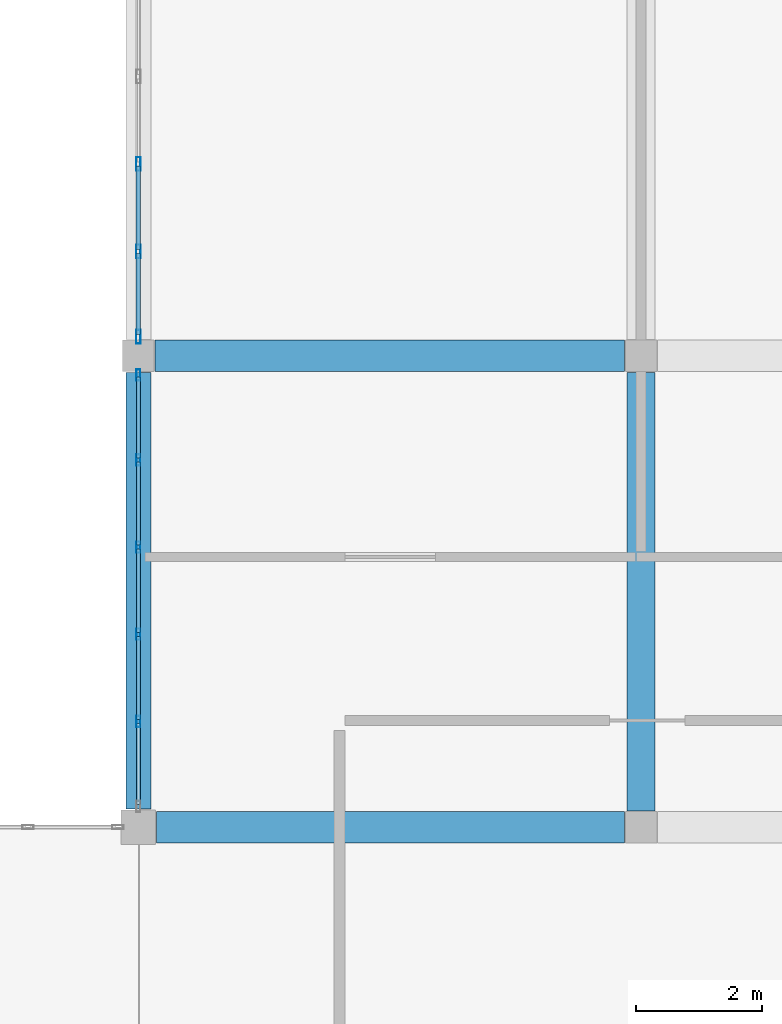
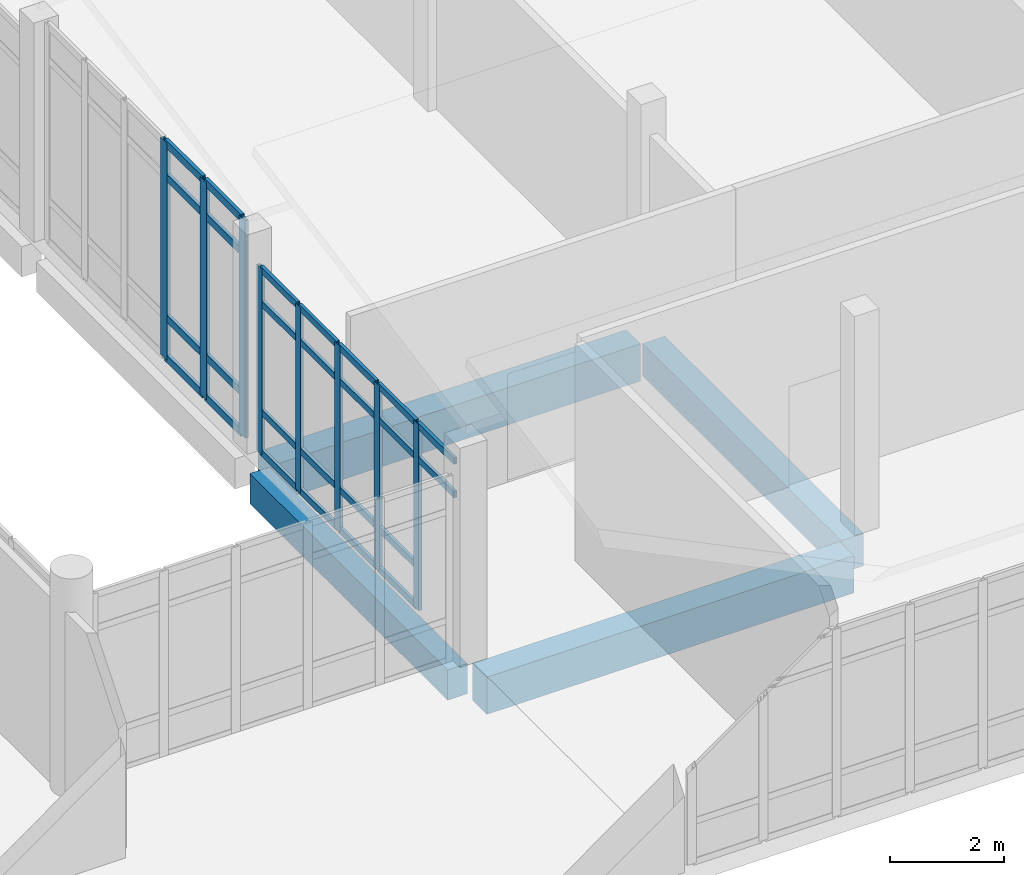
# One storey, part 55 of 173: 34 members, 4 beams, 2 elements without a shape of their own.
"""IFC4 building model written with IfcOpenShell, lengths in metres."""

from ifc_helpers import new_model, si_unit, direction, frame, origin, origin_2d, place, context, subcontext, project, spatial, rectangle, hollow_rectangle, extrude, material, layer, layer_set, material_profile, profile_set, type_object, element, aggregate, save


model = new_model("IFC4")

# Units and contexts
model_context = context("Model", 3, precision=1e-05, world=origin(), true_north=direction((0.0, 1.0)))
body_context = subcontext(model_context, "Body", "Model", "MODEL_VIEW")
ifc_project = project(units=[si_unit("LENGTHUNIT", "METRE"), si_unit("AREAUNIT", "SQUARE_METRE"), si_unit("VOLUMEUNIT", "CUBIC_METRE"), si_unit("PLANEANGLEUNIT", "RADIAN"), si_unit("MASSUNIT", "GRAM", prefix="KILO")], contexts=[model_context])

# Site, building, storey
site_placement = place(None, origin())
site = spatial("IfcSite", under=ifc_project, at=site_placement, CompositionType="ELEMENT")
building_placement = place(site_placement, origin())
building = spatial("IfcBuilding", under=site, at=building_placement, Name="Mawjan Specialist Oncology Clinic", CompositionType="ELEMENT")
storey_placement = place(building_placement, origin())
storey = spatial("IfcBuildingStorey", under=building, at=storey_placement, Name="L00", CompositionType="ELEMENT", Elevation=0.0)

# Beams
ifc_material_1 = material(Name="Concrete C40/50", Category="concrete")
ifc_material_profile_1 = material_profile(ifc_material_1, rectangle(XDim=0.449951171875, YDim=0.699951171875, at=origin_2d()), Name="RC BM 450x700", Category="concrete")
ifc_profile_set_1 = profile_set([ifc_material_profile_1], Name="Concrete C40/50")
beam_type_1 = type_object("IfcBeamType", Name="BM-450x700", PredefinedType="BEAM", material=ifc_profile_set_1)
beam_1_placement = place(storey_placement, frame((124.0, 53.56005859375, -0.77001953125), z_axis=(0.0, 1.0, 0.0), x_axis=(-1.0, 0.0, 0.0)))
element("IfcBeam", 1, at=beam_1_placement, inside=storey, type_object=beam_type_1, Name="L00 Collector Beam BM-L00-0189", PredefinedType="BEAM", context=body_context, shape_type="SweptSolid", body=[
    extrude(rectangle(XDim=0.449951171875, YDim=0.699951171875, at=origin_2d()), origin(), (0.0, 0.0, 1.0), 6.97998046875),
])
ifc_material_2 = material(Name="Concrete C45/55", Category="concrete")
ifc_material_profile_2 = material_profile(ifc_material_2, rectangle(XDim=0.5, YDim=0.800048828125, at=origin_2d()), Name="RC BM 500x800", Category="concrete")
ifc_profile_set_2 = profile_set([ifc_material_profile_2], Name="Concrete C45/55")
beam_type_2 = type_object("IfcBeamType", Name="BM-500x800", PredefinedType="BEAM", material=ifc_profile_set_2)
beam_2_placement = place(storey_placement, frame((116.284912109375, 53.300048828125, -0.820068359375), z_axis=(1.0, 0.0, 0.0), x_axis=(0.0, 1.0, 0.0)))
element("IfcBeam", 2, at=beam_2_placement, inside=storey, type_object=beam_type_2, Name="L00 Collector Beam BM-L00-0001", PredefinedType="BEAM", context=body_context, shape_type="SweptSolid", body=[
    extrude(rectangle(XDim=0.5, YDim=0.800048828125, at=origin_2d()), origin(), (0.0, 0.0, 1.0), 7.455078125),
])
beam_3_placement = place(storey_placement, frame((116.260009765625, 60.800048828125, -0.820068359375), z_axis=(1.0, 0.0, 0.0), x_axis=(0.0, 1.0, 0.0)))
element("IfcBeam", 3, at=beam_3_placement, inside=storey, type_object=beam_type_2, Name="L00 Collector Beam BM-L00-0003", PredefinedType="BEAM", context=body_context, shape_type="SweptSolid", body=[
    extrude(rectangle(XDim=0.5, YDim=0.800048828125, at=origin_2d()), origin(), (0.0, 0.0, 1.0), 7.47998046875),
])

# Curtain wall, members
ifc_material_3 = material(Name="Unitised spectrally selective aluminium curtain wall", Category="aluminium")
ifc_layer_1 = layer(ifc_material_3, 0.179931640625, Name="Unitised spectrally selective aluminium curtain wall", Category="aluminium")
ifc_layer_set_1 = layer_set([ifc_layer_1], Name="Unitised spectrally selective aluminium curtain wall")
curtain_wall_type_1 = type_object("IfcCurtainWallType", Name="CW-30", PredefinedType="NOTDEFINED", material=ifc_layer_set_1)
curtain_wall_1_placement = place(storey_placement, origin())
curtain_wall_1 = element("IfcCurtainWall", 4, at=curtain_wall_1_placement, inside=storey, type_object=curtain_wall_type_1, Name="L00 Unitised Curtain Wall CW-L00-064", PredefinedType="NOTDEFINED")
ifc_material_4 = material(Name="Thermally broken aluminium 6063-T6", Category="aluminium")
ifc_material_profile_3 = material_profile(ifc_material_4, hollow_rectangle(XDim=0.06494140625, YDim=0.179931640625, WallThickness=0.00390625, at=origin_2d()), Name="ALU MULLION 180x65x4", Category="aluminium")
ifc_profile_set_3 = profile_set([ifc_material_profile_3], Name="Thermally broken aluminium 6063-T6")
member_type_1 = type_object("IfcMemberType", Name="CW-M180", PredefinedType="MULLION", material=ifc_profile_set_3)
member_1_placement = place(storey_placement, frame((116.0, 54.98193359375, 0.0), z_axis=(0.0, 0.0, 1.0), x_axis=(-1.0, 0.0, 0.0)))
member_1 = element("IfcMember", 5, at=member_1_placement, type_object=member_type_1, Name="CW-30 mullion 2", PredefinedType="MULLION", context=body_context, shape_type="SweptSolid", body=[
    extrude(hollow_rectangle(XDim=0.06494140625, YDim=0.179931640625, WallThickness=0.00390625, at=origin_2d()), origin(), (0.0, 0.0, 1.0), 3.985107421875),
])
member_2_placement = place(storey_placement, frame((116.0, 56.368896484375, 0.0), z_axis=(0.0, 0.0, 1.0), x_axis=(-1.0, 0.0, 0.0)))
member_2 = element("IfcMember", 6, at=member_2_placement, type_object=member_type_1, Name="CW-30 mullion 3", PredefinedType="MULLION", context=body_context, shape_type="SweptSolid", body=[
    extrude(hollow_rectangle(XDim=0.06494140625, YDim=0.179931640625, WallThickness=0.00390625, at=origin_2d()), origin(), (0.0, 0.0, 1.0), 3.985107421875),
])
member_3_placement = place(storey_placement, frame((116.0, 57.756103515625, 0.0), z_axis=(0.0, 0.0, 1.0), x_axis=(-1.0, 0.0, 0.0)))
member_3 = element("IfcMember", 7, at=member_3_placement, type_object=member_type_1, Name="CW-30 mullion 4", PredefinedType="MULLION", context=body_context, shape_type="SweptSolid", body=[
    extrude(hollow_rectangle(XDim=0.06494140625, YDim=0.179931640625, WallThickness=0.00390625, at=origin_2d()), origin(), (0.0, 0.0, 1.0), 3.985107421875),
])
member_4_placement = place(storey_placement, frame((116.0, 59.14306640625, 0.0), z_axis=(0.0, 0.0, 1.0), x_axis=(-1.0, 0.0, 0.0)))
member_4 = element("IfcMember", 8, at=member_4_placement, type_object=member_type_1, Name="CW-30 mullion 5", PredefinedType="MULLION", context=body_context, shape_type="SweptSolid", body=[
    extrude(hollow_rectangle(XDim=0.06494140625, YDim=0.179931640625, WallThickness=0.00390625, at=origin_2d()), origin(), (0.0, 0.0, 1.0), 3.985107421875),
])
member_5_placement = place(storey_placement, frame((116.0, 60.49755859375, 0.0), z_axis=(0.0, 0.0, 1.0), x_axis=(-1.0, 0.0, 0.0)))
member_5 = element("IfcMember", 9, at=member_5_placement, type_object=member_type_1, Name="CW-30 mullion 6", PredefinedType="MULLION", context=body_context, shape_type="SweptSolid", body=[
    extrude(hollow_rectangle(XDim=0.06494140625, YDim=0.179931640625, WallThickness=0.00390625, at=origin_2d()), origin(), (0.0, 0.0, 1.0), 3.985107421875),
])

ifc_material_5 = material(Name="Unitised spectrally selective aluminium curtain wall", Category="aluminium")
ifc_layer_2 = layer(ifc_material_5, 0.179931640625, Name="Unitised spectrally selective aluminium curtain wall", Category="aluminium")
ifc_layer_set_2 = layer_set([ifc_layer_2], Name="Unitised spectrally selective aluminium curtain wall")
curtain_wall_type_2 = type_object("IfcCurtainWallType", Name="CW-11", PredefinedType="NOTDEFINED", material=ifc_layer_set_2)
curtain_wall_2_placement = place(storey_placement, origin())
curtain_wall_2 = element("IfcCurtainWall", 10, at=curtain_wall_2_placement, inside=storey, type_object=curtain_wall_type_2, Name="L00 Unitised Curtain Wall CW-L00-065", PredefinedType="NOTDEFINED")
ifc_material_6 = material(Name="Thermally broken aluminium 6063-T6", Category="aluminium")
ifc_material_profile_4 = material_profile(ifc_material_6, hollow_rectangle(XDim=0.070068359375, YDim=0.219970703125, WallThickness=0.00390625, at=origin_2d()), Name="ALU MULLION 220x70x4", Category="aluminium")
ifc_profile_set_4 = profile_set([ifc_material_profile_4], Name="Thermally broken aluminium 6063-T6")
member_type_2 = type_object("IfcMemberType", Name="CW-M220", PredefinedType="MULLION", material=ifc_profile_set_4)
member_6_placement = place(storey_placement, frame((116.0, 61.10498046875, 0.0), z_axis=(0.0, 0.0, 1.0), x_axis=(-1.0, 0.0, 0.0)))
member_6 = element("IfcMember", 11, at=member_6_placement, type_object=member_type_2, Name="CW-11 mullion 1", PredefinedType="MULLION", context=body_context, shape_type="SweptSolid", body=[
    extrude(hollow_rectangle(XDim=0.070068359375, YDim=0.219970703125, WallThickness=0.00390625, at=origin_2d()), origin(), (0.0, 0.0, 1.0), 4.669921875),
])
member_7_placement = place(storey_placement, frame((116.0, 62.4619140625, 0.0), z_axis=(0.0, 0.0, 1.0), x_axis=(-1.0, 0.0, 0.0)))
member_7 = element("IfcMember", 12, at=member_7_placement, type_object=member_type_2, Name="CW-11 mullion 2", PredefinedType="MULLION", context=body_context, shape_type="SweptSolid", body=[
    extrude(hollow_rectangle(XDim=0.070068359375, YDim=0.219970703125, WallThickness=0.00390625, at=origin_2d()), origin(), (0.0, 0.0, 1.0), 4.669921875),
])
member_8_placement = place(storey_placement, frame((116.0, 63.85400390625, 0.0), z_axis=(0.0, 0.0, 1.0), x_axis=(-1.0, 0.0, 0.0)))
member_8 = element("IfcMember", 13, at=member_8_placement, type_object=member_type_2, Name="CW-11 mullion 3", PredefinedType="MULLION", context=body_context, shape_type="SweptSolid", body=[
    extrude(hollow_rectangle(XDim=0.070068359375, YDim=0.219970703125, WallThickness=0.00390625, at=origin_2d()), origin(), (0.0, 0.0, 1.0), 4.669921875),
])

# Member
ifc_material_7 = material(Name="Thermally broken aluminium 6063-T6", Category="aluminium")
ifc_material_profile_5 = material_profile(ifc_material_7, hollow_rectangle(XDim=0.06494140625, YDim=0.139892578125, WallThickness=0.00390625, at=origin_2d()), Name="ALU TRANSOM 140x65x4", Category="aluminium")
ifc_profile_set_5 = profile_set([ifc_material_profile_5], Name="Thermally broken aluminium 6063-T6")
member_type_3 = type_object("IfcMemberType", Name="CW-T140", PredefinedType="USERDEFINED", material=ifc_profile_set_5)
member_9_placement = place(storey_placement, frame((116.0, 53.659912109375, 3.235107421875), z_axis=(0.0, 1.0, 0.0), x_axis=(-1.0, 0.0, 0.0)))
member_9 = element("IfcMember", 14, at=member_9_placement, type_object=member_type_3, Name="CW-30 transom 1.3", ObjectType="TRANSOM", PredefinedType="USERDEFINED", context=body_context, shape_type="SweptSolid", body=[
    extrude(hollow_rectangle(XDim=0.06494140625, YDim=0.139892578125, WallThickness=0.00390625, at=origin_2d()), origin(), (0.0, 0.0, 1.0), 1.28955078125),
])

member_10_placement = place(storey_placement, frame((116.0, 53.659912109375, 3.952392578125), z_axis=(0.0, 1.0, 0.0), x_axis=(-1.0, 0.0, 0.0)))
member_10 = element("IfcMember", 15, at=member_10_placement, type_object=member_type_3, Name="CW-30 transom 1.4", ObjectType="TRANSOM", PredefinedType="USERDEFINED", context=body_context, shape_type="SweptSolid", body=[
    extrude(hollow_rectangle(XDim=0.06494140625, YDim=0.139892578125, WallThickness=0.00390625, at=origin_2d()), origin(), (0.0, 0.0, 1.0), 1.28955078125),
])

member_11_placement = place(storey_placement, frame((116.0, 55.014404296875, 0.032470703125), z_axis=(0.0, 1.0, 0.0), x_axis=(-1.0, 0.0, 0.0)))
member_11 = element("IfcMember", 16, at=member_11_placement, type_object=member_type_3, Name="CW-30 transom 2.1", ObjectType="TRANSOM", PredefinedType="USERDEFINED", context=body_context, shape_type="SweptSolid", body=[
    extrude(hollow_rectangle(XDim=0.06494140625, YDim=0.139892578125, WallThickness=0.00390625, at=origin_2d()), origin(), (0.0, 0.0, 1.0), 1.322021484375),
])

member_12_placement = place(storey_placement, frame((116.0, 55.014404296875, 0.89990234375), z_axis=(0.0, 1.0, 0.0), x_axis=(-1.0, 0.0, 0.0)))
member_12 = element("IfcMember", 17, at=member_12_placement, type_object=member_type_3, Name="CW-30 transom 2.2", ObjectType="TRANSOM", PredefinedType="USERDEFINED", context=body_context, shape_type="SweptSolid", body=[
    extrude(hollow_rectangle(XDim=0.06494140625, YDim=0.139892578125, WallThickness=0.00390625, at=origin_2d()), origin(), (0.0, 0.0, 1.0), 1.322021484375),
])

member_13_placement = place(storey_placement, frame((116.0, 55.014404296875, 3.235107421875), z_axis=(0.0, 1.0, 0.0), x_axis=(-1.0, 0.0, 0.0)))
member_13 = element("IfcMember", 18, at=member_13_placement, type_object=member_type_3, Name="CW-30 transom 2.3", ObjectType="TRANSOM", PredefinedType="USERDEFINED", context=body_context, shape_type="SweptSolid", body=[
    extrude(hollow_rectangle(XDim=0.06494140625, YDim=0.139892578125, WallThickness=0.00390625, at=origin_2d()), origin(), (0.0, 0.0, 1.0), 1.322021484375),
])

member_14_placement = place(storey_placement, frame((116.0, 55.014404296875, 3.952392578125), z_axis=(0.0, 1.0, 0.0), x_axis=(-1.0, 0.0, 0.0)))
member_14 = element("IfcMember", 19, at=member_14_placement, type_object=member_type_3, Name="CW-30 transom 2.4", ObjectType="TRANSOM", PredefinedType="USERDEFINED", context=body_context, shape_type="SweptSolid", body=[
    extrude(hollow_rectangle(XDim=0.06494140625, YDim=0.139892578125, WallThickness=0.00390625, at=origin_2d()), origin(), (0.0, 0.0, 1.0), 1.322021484375),
])

member_15_placement = place(storey_placement, frame((116.0, 56.401611328125, 0.032470703125), z_axis=(0.0, 1.0, 0.0), x_axis=(-1.0, 0.0, 0.0)))
member_15 = element("IfcMember", 20, at=member_15_placement, type_object=member_type_3, Name="CW-30 transom 3.1", ObjectType="TRANSOM", PredefinedType="USERDEFINED", context=body_context, shape_type="SweptSolid", body=[
    extrude(hollow_rectangle(XDim=0.06494140625, YDim=0.139892578125, WallThickness=0.00390625, at=origin_2d()), origin(), (0.0, 0.0, 1.0), 1.32177734375),
])

member_16_placement = place(storey_placement, frame((116.0, 56.401611328125, 0.89990234375), z_axis=(0.0, 1.0, 0.0), x_axis=(-1.0, 0.0, 0.0)))
member_16 = element("IfcMember", 21, at=member_16_placement, type_object=member_type_3, Name="CW-30 transom 3.2", ObjectType="TRANSOM", PredefinedType="USERDEFINED", context=body_context, shape_type="SweptSolid", body=[
    extrude(hollow_rectangle(XDim=0.06494140625, YDim=0.139892578125, WallThickness=0.00390625, at=origin_2d()), origin(), (0.0, 0.0, 1.0), 1.32177734375),
])

member_17_placement = place(storey_placement, frame((116.0, 56.401611328125, 3.235107421875), z_axis=(0.0, 1.0, 0.0), x_axis=(-1.0, 0.0, 0.0)))
member_17 = element("IfcMember", 22, at=member_17_placement, type_object=member_type_3, Name="CW-30 transom 3.3", ObjectType="TRANSOM", PredefinedType="USERDEFINED", context=body_context, shape_type="SweptSolid", body=[
    extrude(hollow_rectangle(XDim=0.06494140625, YDim=0.139892578125, WallThickness=0.00390625, at=origin_2d()), origin(), (0.0, 0.0, 1.0), 1.32177734375),
])

member_18_placement = place(storey_placement, frame((116.0, 56.401611328125, 3.952392578125), z_axis=(0.0, 1.0, 0.0), x_axis=(-1.0, 0.0, 0.0)))
member_18 = element("IfcMember", 23, at=member_18_placement, type_object=member_type_3, Name="CW-30 transom 3.4", ObjectType="TRANSOM", PredefinedType="USERDEFINED", context=body_context, shape_type="SweptSolid", body=[
    extrude(hollow_rectangle(XDim=0.06494140625, YDim=0.139892578125, WallThickness=0.00390625, at=origin_2d()), origin(), (0.0, 0.0, 1.0), 1.32177734375),
])

member_19_placement = place(storey_placement, frame((116.0, 57.78857421875, 0.032470703125), z_axis=(0.0, 1.0, 0.0), x_axis=(-1.0, 0.0, 0.0)))
member_19 = element("IfcMember", 24, at=member_19_placement, type_object=member_type_3, Name="CW-30 transom 4.1", ObjectType="TRANSOM", PredefinedType="USERDEFINED", context=body_context, shape_type="SweptSolid", body=[
    extrude(hollow_rectangle(XDim=0.06494140625, YDim=0.139892578125, WallThickness=0.00390625, at=origin_2d()), origin(), (0.0, 0.0, 1.0), 1.322021484375),
])

member_20_placement = place(storey_placement, frame((116.0, 57.78857421875, 0.89990234375), z_axis=(0.0, 1.0, 0.0), x_axis=(-1.0, 0.0, 0.0)))
member_20 = element("IfcMember", 25, at=member_20_placement, type_object=member_type_3, Name="CW-30 transom 4.2", ObjectType="TRANSOM", PredefinedType="USERDEFINED", context=body_context, shape_type="SweptSolid", body=[
    extrude(hollow_rectangle(XDim=0.06494140625, YDim=0.139892578125, WallThickness=0.00390625, at=origin_2d()), origin(), (0.0, 0.0, 1.0), 1.322021484375),
])

member_21_placement = place(storey_placement, frame((116.0, 57.78857421875, 3.235107421875), z_axis=(0.0, 1.0, 0.0), x_axis=(-1.0, 0.0, 0.0)))
member_21 = element("IfcMember", 26, at=member_21_placement, type_object=member_type_3, Name="CW-30 transom 4.3", ObjectType="TRANSOM", PredefinedType="USERDEFINED", context=body_context, shape_type="SweptSolid", body=[
    extrude(hollow_rectangle(XDim=0.06494140625, YDim=0.139892578125, WallThickness=0.00390625, at=origin_2d()), origin(), (0.0, 0.0, 1.0), 1.322021484375),
])

member_22_placement = place(storey_placement, frame((116.0, 57.78857421875, 3.952392578125), z_axis=(0.0, 1.0, 0.0), x_axis=(-1.0, 0.0, 0.0)))
member_22 = element("IfcMember", 27, at=member_22_placement, type_object=member_type_3, Name="CW-30 transom 4.4", ObjectType="TRANSOM", PredefinedType="USERDEFINED", context=body_context, shape_type="SweptSolid", body=[
    extrude(hollow_rectangle(XDim=0.06494140625, YDim=0.139892578125, WallThickness=0.00390625, at=origin_2d()), origin(), (0.0, 0.0, 1.0), 1.322021484375),
])

member_23_placement = place(storey_placement, frame((116.0, 59.175537109375, 0.032470703125), z_axis=(0.0, 1.0, 0.0), x_axis=(-1.0, 0.0, 0.0)))
member_23 = element("IfcMember", 28, at=member_23_placement, type_object=member_type_3, Name="CW-30 transom 5.1", ObjectType="TRANSOM", PredefinedType="USERDEFINED", context=body_context, shape_type="SweptSolid", body=[
    extrude(hollow_rectangle(XDim=0.06494140625, YDim=0.139892578125, WallThickness=0.00390625, at=origin_2d()), origin(), (0.0, 0.0, 1.0), 1.28955078125),
])

member_24_placement = place(storey_placement, frame((116.0, 59.175537109375, 0.89990234375), z_axis=(0.0, 1.0, 0.0), x_axis=(-1.0, 0.0, 0.0)))
member_24 = element("IfcMember", 29, at=member_24_placement, type_object=member_type_3, Name="CW-30 transom 5.2", ObjectType="TRANSOM", PredefinedType="USERDEFINED", context=body_context, shape_type="SweptSolid", body=[
    extrude(hollow_rectangle(XDim=0.06494140625, YDim=0.139892578125, WallThickness=0.00390625, at=origin_2d()), origin(), (0.0, 0.0, 1.0), 1.28955078125),
])

member_25_placement = place(storey_placement, frame((116.0, 59.175537109375, 3.235107421875), z_axis=(0.0, 1.0, 0.0), x_axis=(-1.0, 0.0, 0.0)))
member_25 = element("IfcMember", 30, at=member_25_placement, type_object=member_type_3, Name="CW-30 transom 5.3", ObjectType="TRANSOM", PredefinedType="USERDEFINED", context=body_context, shape_type="SweptSolid", body=[
    extrude(hollow_rectangle(XDim=0.06494140625, YDim=0.139892578125, WallThickness=0.00390625, at=origin_2d()), origin(), (0.0, 0.0, 1.0), 1.28955078125),
])

member_26_placement = place(storey_placement, frame((116.0, 59.175537109375, 3.952392578125), z_axis=(0.0, 1.0, 0.0), x_axis=(-1.0, 0.0, 0.0)))
member_26 = element("IfcMember", 31, at=member_26_placement, type_object=member_type_3, Name="CW-30 transom 5.4", ObjectType="TRANSOM", PredefinedType="USERDEFINED", context=body_context, shape_type="SweptSolid", body=[
    extrude(hollow_rectangle(XDim=0.06494140625, YDim=0.139892578125, WallThickness=0.00390625, at=origin_2d()), origin(), (0.0, 0.0, 1.0), 1.28955078125),
])

aggregate(curtain_wall_1, [member_1, member_2, member_3, member_4, member_5, member_9, member_10, member_11, member_12, member_13, member_14, member_15, member_16, member_17, member_18, member_19, member_20, member_21, member_22, member_23, member_24, member_25, member_26])

ifc_material_8 = material(Name="Thermally broken aluminium 6063-T6", Category="aluminium")
ifc_material_profile_6 = material_profile(ifc_material_8, hollow_rectangle(XDim=0.070068359375, YDim=0.159912109375, WallThickness=0.00390625, at=origin_2d()), Name="ALU TRANSOM 160x70x4", Category="aluminium")
ifc_profile_set_6 = profile_set([ifc_material_profile_6], Name="Thermally broken aluminium 6063-T6")
member_type_4 = type_object("IfcMemberType", Name="CW-T160", PredefinedType="USERDEFINED", material=ifc_profile_set_6)
member_27_placement = place(storey_placement, frame((116.0, 61.139892578125, 0.034912109375), z_axis=(0.0, 1.0, 0.0), x_axis=(-1.0, 0.0, 0.0)))
member_27 = element("IfcMember", 32, at=member_27_placement, type_object=member_type_4, Name="CW-11 transom 1.1", ObjectType="TRANSOM", PredefinedType="USERDEFINED", context=body_context, shape_type="SweptSolid", body=[
    extrude(hollow_rectangle(XDim=0.070068359375, YDim=0.159912109375, WallThickness=0.00390625, at=origin_2d()), origin(), (0.0, 0.0, 1.0), 1.287109375),
])

member_28_placement = place(storey_placement, frame((116.0, 61.139892578125, 0.89990234375), z_axis=(0.0, 1.0, 0.0), x_axis=(-1.0, 0.0, 0.0)))
member_28 = element("IfcMember", 33, at=member_28_placement, type_object=member_type_4, Name="CW-11 transom 1.2", ObjectType="TRANSOM", PredefinedType="USERDEFINED", context=body_context, shape_type="SweptSolid", body=[
    extrude(hollow_rectangle(XDim=0.070068359375, YDim=0.159912109375, WallThickness=0.00390625, at=origin_2d()), origin(), (0.0, 0.0, 1.0), 1.287109375),
])

member_29_placement = place(storey_placement, frame((116.0, 61.139892578125, 3.919921875), z_axis=(0.0, 1.0, 0.0), x_axis=(-1.0, 0.0, 0.0)))
member_29 = element("IfcMember", 34, at=member_29_placement, type_object=member_type_4, Name="CW-11 transom 1.3", ObjectType="TRANSOM", PredefinedType="USERDEFINED", context=body_context, shape_type="SweptSolid", body=[
    extrude(hollow_rectangle(XDim=0.070068359375, YDim=0.159912109375, WallThickness=0.00390625, at=origin_2d()), origin(), (0.0, 0.0, 1.0), 1.287109375),
])

member_30_placement = place(storey_placement, frame((116.0, 61.139892578125, 4.635009765625), z_axis=(0.0, 1.0, 0.0), x_axis=(-1.0, 0.0, 0.0)))
member_30 = element("IfcMember", 35, at=member_30_placement, type_object=member_type_4, Name="CW-11 transom 1.4", ObjectType="TRANSOM", PredefinedType="USERDEFINED", context=body_context, shape_type="SweptSolid", body=[
    extrude(hollow_rectangle(XDim=0.070068359375, YDim=0.159912109375, WallThickness=0.00390625, at=origin_2d()), origin(), (0.0, 0.0, 1.0), 1.287109375),
])

member_31_placement = place(storey_placement, frame((116.0, 62.4970703125, 0.034912109375), z_axis=(0.0, 1.0, 0.0), x_axis=(-1.0, 0.0, 0.0)))
member_31 = element("IfcMember", 36, at=member_31_placement, type_object=member_type_4, Name="CW-11 transom 2.1", ObjectType="TRANSOM", PredefinedType="USERDEFINED", context=body_context, shape_type="SweptSolid", body=[
    extrude(hollow_rectangle(XDim=0.070068359375, YDim=0.159912109375, WallThickness=0.00390625, at=origin_2d()), origin(), (0.0, 0.0, 1.0), 1.322021484375),
])

member_32_placement = place(storey_placement, frame((116.0, 62.4970703125, 0.89990234375), z_axis=(0.0, 1.0, 0.0), x_axis=(-1.0, 0.0, 0.0)))
member_32 = element("IfcMember", 37, at=member_32_placement, type_object=member_type_4, Name="CW-11 transom 2.2", ObjectType="TRANSOM", PredefinedType="USERDEFINED", context=body_context, shape_type="SweptSolid", body=[
    extrude(hollow_rectangle(XDim=0.070068359375, YDim=0.159912109375, WallThickness=0.00390625, at=origin_2d()), origin(), (0.0, 0.0, 1.0), 1.322021484375),
])

member_33_placement = place(storey_placement, frame((116.0, 62.4970703125, 3.919921875), z_axis=(0.0, 1.0, 0.0), x_axis=(-1.0, 0.0, 0.0)))
member_33 = element("IfcMember", 38, at=member_33_placement, type_object=member_type_4, Name="CW-11 transom 2.3", ObjectType="TRANSOM", PredefinedType="USERDEFINED", context=body_context, shape_type="SweptSolid", body=[
    extrude(hollow_rectangle(XDim=0.070068359375, YDim=0.159912109375, WallThickness=0.00390625, at=origin_2d()), origin(), (0.0, 0.0, 1.0), 1.322021484375),
])

member_34_placement = place(storey_placement, frame((116.0, 62.4970703125, 4.635009765625), z_axis=(0.0, 1.0, 0.0), x_axis=(-1.0, 0.0, 0.0)))
member_34 = element("IfcMember", 39, at=member_34_placement, type_object=member_type_4, Name="CW-11 transom 2.4", ObjectType="TRANSOM", PredefinedType="USERDEFINED", context=body_context, shape_type="SweptSolid", body=[
    extrude(hollow_rectangle(XDim=0.070068359375, YDim=0.159912109375, WallThickness=0.00390625, at=origin_2d()), origin(), (0.0, 0.0, 1.0), 1.322021484375),
])

aggregate(curtain_wall_2, [member_6, member_7, member_8, member_27, member_28, member_29, member_30, member_31, member_32, member_33, member_34])

# Beam
ifc_material_9 = material(Name="Concrete C45/55", Category="concrete")
ifc_material_profile_7 = material_profile(ifc_material_9, rectangle(XDim=0.39990234375, YDim=0.64990234375, at=origin_2d()), Name="RC BM 400x650", Category="concrete")
ifc_profile_set_7 = profile_set([ifc_material_profile_7], Name="Concrete C45/55")
beam_type_3 = type_object("IfcBeamType", Name="SP-400x650", PredefinedType="SPANDREL", material=ifc_profile_set_7)
beam_4_placement = place(storey_placement, frame((116.0, 53.5849609375, -0.7451171875), z_axis=(0.0, 1.0, 0.0), x_axis=(-1.0, 0.0, 0.0)))
element("IfcBeam", 40, at=beam_4_placement, inside=storey, type_object=beam_type_3, Name="L00 Spandrel Beam BM-L00-0184", PredefinedType="SPANDREL", context=body_context, shape_type="SweptSolid", body=[
    extrude(rectangle(XDim=0.39990234375, YDim=0.64990234375, at=origin_2d()), origin(), (0.0, 0.0, 1.0), 6.955078125),
])

save(model, "model.ifc")
